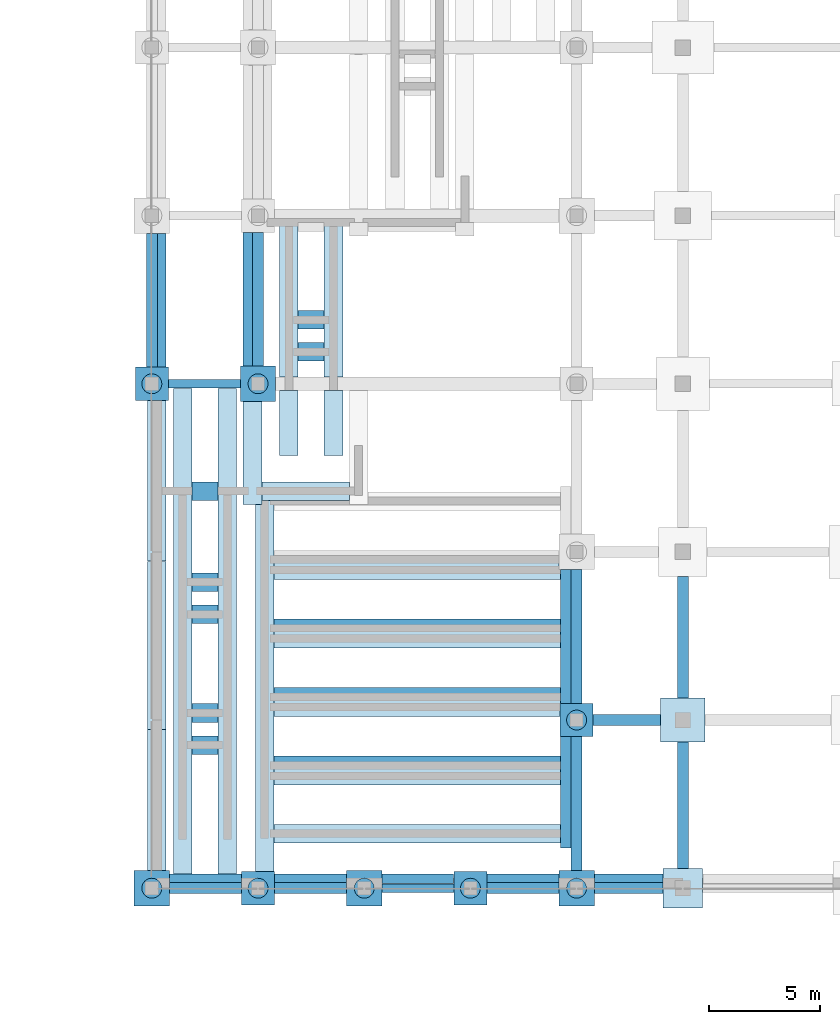
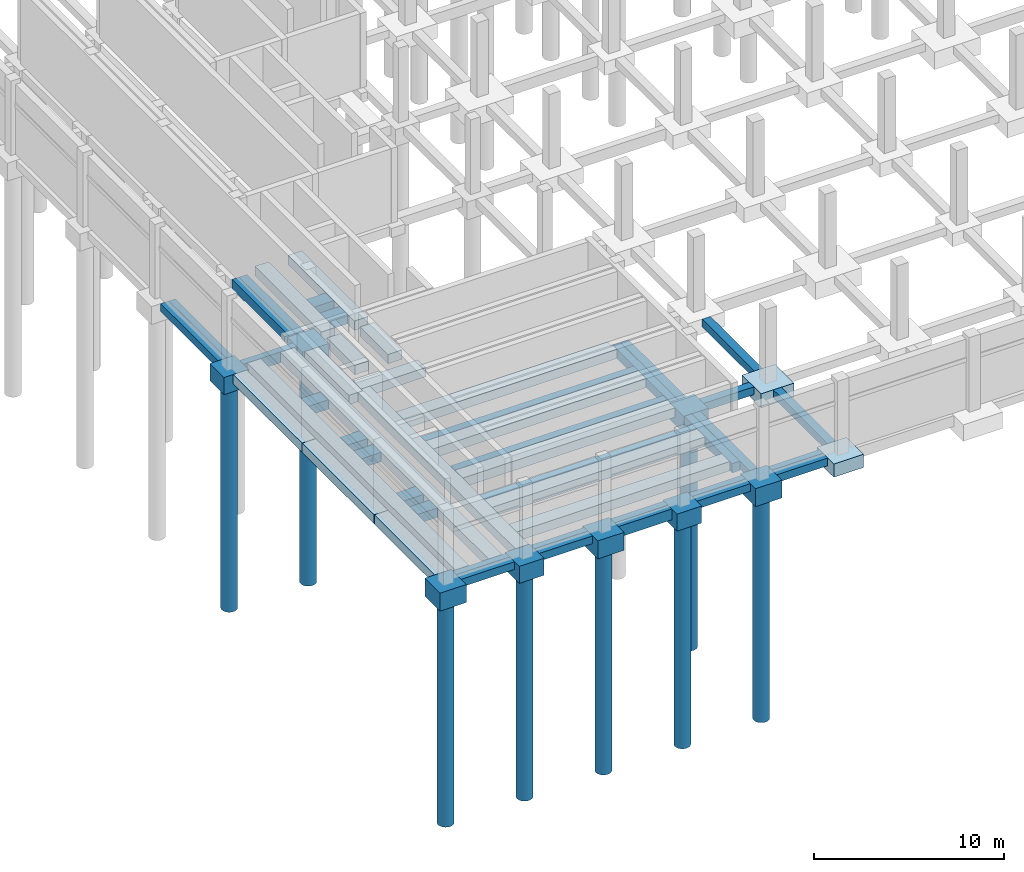
# One storey, part 1 of 50: 59 footings, 8 piles.
"""IFC4 building model written with IfcOpenShell, lengths in metres."""

from ifc_helpers import new_model, si_unit, direction, frame, origin, origin_2d, place, context, subcontext, project, spatial, polyline, rectangle, circle, outline, extrude, material, material_profile, profile_set, type_object, element, save


model = new_model("IFC4")

# Units and contexts
model_context = context("Model", 3, precision=1e-05, world=origin(), true_north=direction((0.0, 1.0)))
body_context = subcontext(model_context, "Body", "Model", "MODEL_VIEW")
ifc_project = project(units=[si_unit("LENGTHUNIT", "METRE"), si_unit("AREAUNIT", "SQUARE_METRE"), si_unit("VOLUMEUNIT", "CUBIC_METRE"), si_unit("PLANEANGLEUNIT", "RADIAN"), si_unit("MASSUNIT", "GRAM", prefix="KILO")], contexts=[model_context])

# Site, building, storey
site_placement = place(None, origin())
site = spatial("IfcSite", under=ifc_project, at=site_placement, CompositionType="ELEMENT")
building_placement = place(site_placement, origin())
building = spatial("IfcBuilding", under=site, at=building_placement, Name="Vekula Escarpment Museum", CompositionType="ELEMENT")
storey_placement = place(building_placement, frame((0.0, 0.0, -4.800048828125)))
storey = spatial("IfcBuildingStorey", under=building, at=storey_placement, Name="B1", CompositionType="ELEMENT", Elevation=-4.800048828125)

# Footings
ifc_material_1 = material(Name="Concrete C35/45", Category="concrete")
footing_type_1 = type_object("IfcFootingType", Name="FB-STRIP-600", PredefinedType="STRIP_FOOTING", material=ifc_material_1)
footing_1_placement = place(storey_placement, frame((0.0, 0.0, -0.599853515625)))
element("IfcFooting", 1, at=footing_1_placement, inside=storey, type_object=footing_type_1, Name="Plinth Wall Strip Footing 0059", PredefinedType="STRIP_FOOTING", context=body_context, shape_type="SweptSolid", body=[
    extrude(outline(polyline([(4.0458984375, 0.64501953125), (4.0458984375, 0.25390625), (0.803955078125, 0.25390625), (0.803955078125, 0.64501953125), (4.0458984375, 0.64501953125)])), origin(), (0.0, 0.0, 1.0), 0.599853515625),
])
footing_2_placement = place(storey_placement, frame((0.0, 0.0, -0.599853515625)))
element("IfcFooting", 2, at=footing_2_placement, inside=storey, type_object=footing_type_1, Name="Plinth Wall Strip Footing 0060", PredefinedType="STRIP_FOOTING", context=body_context, shape_type="SweptSolid", body=[
    extrude(outline(polyline([(8.7958984375, 0.64501953125), (8.7958984375, 0.25390625), (5.553955078125, 0.25390625), (5.553955078125, 0.64501953125), (8.7958984375, 0.64501953125)])), origin(), (0.0, 0.0, 1.0), 0.599853515625),
])
footing_3_placement = place(storey_placement, frame((0.0, 0.0, -0.599853515625)))
element("IfcFooting", 3, at=footing_3_placement, inside=storey, type_object=footing_type_1, Name="Plinth Wall Strip Footing 0061", PredefinedType="STRIP_FOOTING", context=body_context, shape_type="SweptSolid", body=[
    extrude(outline(polyline([(13.64599609375, 0.64501953125), (13.64599609375, 0.2041015625), (10.404052734375, 0.2041015625), (10.404052734375, 0.64501953125), (13.64599609375, 0.64501953125)])), origin(), (0.0, 0.0, 1.0), 0.599853515625),
])
footing_4_placement = place(storey_placement, frame((0.0, 0.0, -0.599853515625)))
element("IfcFooting", 4, at=footing_4_placement, inside=storey, type_object=footing_type_1, Name="Plinth Wall Strip Footing 0062", PredefinedType="STRIP_FOOTING", context=body_context, shape_type="SweptSolid", body=[
    extrude(outline(polyline([(18.39599609375, 0.64501953125), (18.39599609375, 0.25390625), (15.154052734375, 0.25390625), (15.154052734375, 0.64501953125), (18.39599609375, 0.64501953125)])), origin(), (0.0, 0.0, 1.0), 0.599853515625),
])
footing_5_placement = place(storey_placement, frame((0.0, 0.0, -0.599853515625)))
element("IfcFooting", 5, at=footing_5_placement, inside=storey, type_object=footing_type_1, Name="Plinth Wall Strip Footing 0063", PredefinedType="STRIP_FOOTING", context=body_context, shape_type="SweptSolid", body=[
    extrude(outline(polyline([(23.095947265625, 0.64501953125), (23.095947265625, 0.25390625), (20.00390625, 0.25390625), (20.00390625, 0.64501953125), (23.095947265625, 0.64501953125)])), origin(), (0.0, 0.0, 1.0), 0.599853515625),
])
footing_6_placement = place(storey_placement, frame((0.0, 0.0, -0.599853515625)))
element("IfcFooting", 6, at=footing_6_placement, inside=storey, type_object=footing_type_1, Name="Plinth Wall Strip Footing 0136", PredefinedType="STRIP_FOOTING", context=body_context, shape_type="SweptSolid", body=[
    extrude(outline(polyline([(0.64501953125, 23.553955078125), (0.25390625, 23.553955078125), (0.25390625, 29.595947265625), (0.64501953125, 29.595947265625), (0.64501953125, 23.553955078125)])), origin(), (0.0, 0.0, 1.0), 0.599853515625),
])
footing_7_placement = place(storey_placement, frame((0.0, 0.0, -0.599853515625)))
element("IfcFooting", 7, at=footing_7_placement, inside=storey, type_object=footing_type_1, Name="Plinth Wall Strip Footing 0137", PredefinedType="STRIP_FOOTING", context=body_context, shape_type="SweptSolid", body=[
    extrude(outline(polyline([(0.64501953125, 14.780029296875), (-0.195068359375, 14.780029296875), (-0.195068359375, 22.0458984375), (0.64501953125, 22.0458984375), (0.64501953125, 14.780029296875)])), origin(), (0.0, 0.0, 1.0), 0.599853515625),
])
footing_8_placement = place(storey_placement, frame((0.0, 0.0, -0.599853515625)))
element("IfcFooting", 8, at=footing_8_placement, inside=storey, type_object=footing_type_1, Name="Plinth Wall Strip Footing 0138", PredefinedType="STRIP_FOOTING", context=body_context, shape_type="SweptSolid", body=[
    extrude(outline(polyline([(0.64501953125, 7.179931640625), (-0.195068359375, 7.179931640625), (-0.195068359375, 14.77587890625), (0.64501953125, 14.77587890625), (0.64501953125, 7.179931640625)])), origin(), (0.0, 0.0, 1.0), 0.599853515625),
])
footing_9_placement = place(storey_placement, frame((0.0, 0.0, -0.599853515625)))
element("IfcFooting", 9, at=footing_9_placement, inside=storey, type_object=footing_type_1, Name="Plinth Wall Strip Footing 0139", PredefinedType="STRIP_FOOTING", context=body_context, shape_type="SweptSolid", body=[
    extrude(outline(polyline([(0.64501953125, 0.803955078125), (-0.195068359375, 0.803955078125), (-0.195068359375, 7.176025390625), (0.64501953125, 7.176025390625), (0.64501953125, 0.803955078125)])), origin(), (0.0, 0.0, 1.0), 0.599853515625),
])
footing_10_placement = place(storey_placement, frame((0.0, 0.0, -0.599853515625)))
element("IfcFooting", 10, at=footing_10_placement, inside=storey, type_object=footing_type_1, Name="Plinth Wall Strip Footing 0140", PredefinedType="STRIP_FOOTING", context=body_context, shape_type="SweptSolid", body=[
    extrude(outline(polyline([(1.81005859375, 0.64892578125), (0.969970703125, 0.64892578125), (0.969970703125, 22.595947265625), (1.81005859375, 22.595947265625), (1.81005859375, 0.64892578125)])), origin(), (0.0, 0.0, 1.0), 0.599853515625),
])
footing_11_placement = place(storey_placement, frame((0.0, 0.0, -0.599853515625)))
element("IfcFooting", 11, at=footing_11_placement, inside=storey, type_object=footing_type_1, Name="Plinth Wall Strip Footing 0141", PredefinedType="STRIP_FOOTING", context=body_context, shape_type="SweptSolid", body=[
    extrude(outline(polyline([(3.830078125, 0.64892578125), (2.989990234375, 0.64892578125), (2.989990234375, 22.595947265625), (3.830078125, 22.595947265625), (3.830078125, 0.64892578125)])), origin(), (0.0, 0.0, 1.0), 0.599853515625),
])
footing_12_placement = place(storey_placement, frame((0.0, 0.0, -0.599853515625)))
element("IfcFooting", 12, at=footing_12_placement, inside=storey, type_object=footing_type_1, Name="Plinth Wall Strip Footing 0142", PredefinedType="STRIP_FOOTING", context=body_context, shape_type="SweptSolid", body=[
    extrude(outline(polyline([(1.81396484375, 6.050048828125), (1.81396484375, 6.889892578125), (2.986083984375, 6.889892578125), (2.986083984375, 6.050048828125), (1.81396484375, 6.050048828125)])), origin(), (0.0, 0.0, 1.0), 0.599853515625),
])
footing_13_placement = place(storey_placement, frame((0.0, 0.0, -0.599853515625)))
element("IfcFooting", 13, at=footing_13_placement, inside=storey, type_object=footing_type_1, Name="Plinth Wall Strip Footing 0143", PredefinedType="STRIP_FOOTING", context=body_context, shape_type="SweptSolid", body=[
    extrude(outline(polyline([(1.81396484375, 7.5), (1.81396484375, 8.340087890625), (2.986083984375, 8.340087890625), (2.986083984375, 7.5), (1.81396484375, 7.5)])), origin(), (0.0, 0.0, 1.0), 0.599853515625),
])
footing_14_placement = place(storey_placement, frame((0.0, 0.0, -0.599853515625)))
element("IfcFooting", 14, at=footing_14_placement, inside=storey, type_object=footing_type_1, Name="Plinth Wall Strip Footing 0144", PredefinedType="STRIP_FOOTING", context=body_context, shape_type="SweptSolid", body=[
    extrude(outline(polyline([(1.81396484375, 11.9599609375), (1.81396484375, 12.800048828125), (2.986083984375, 12.800048828125), (2.986083984375, 11.9599609375), (1.81396484375, 11.9599609375)])), origin(), (0.0, 0.0, 1.0), 0.599853515625),
])
footing_15_placement = place(storey_placement, frame((0.0, 0.0, -0.599853515625)))
element("IfcFooting", 15, at=footing_15_placement, inside=storey, type_object=footing_type_1, Name="Plinth Wall Strip Footing 0145", PredefinedType="STRIP_FOOTING", context=body_context, shape_type="SweptSolid", body=[
    extrude(outline(polyline([(1.81396484375, 13.409912109375), (1.81396484375, 14.25), (2.986083984375, 14.25), (2.986083984375, 13.409912109375), (1.81396484375, 13.409912109375)])), origin(), (0.0, 0.0, 1.0), 0.599853515625),
])
footing_16_placement = place(storey_placement, frame((0.0, 0.0, -0.599853515625)))
element("IfcFooting", 16, at=footing_16_placement, inside=storey, type_object=footing_type_1, Name="Plinth Wall Strip Footing 0154", PredefinedType="STRIP_FOOTING", context=body_context, shape_type="SweptSolid", body=[
    extrude(outline(polyline([(6.610107421875, 19.56005859375), (5.77001953125, 19.56005859375), (5.77001953125, 22.49609375), (6.610107421875, 22.49609375), (6.610107421875, 19.56005859375)])), origin(), (0.0, 0.0, 1.0), 0.599853515625),
])
footing_17_placement = place(storey_placement, frame((0.0, 0.0, -0.599853515625)))
element("IfcFooting", 17, at=footing_17_placement, inside=storey, type_object=footing_type_1, Name="Plinth Wall Strip Footing 0154", PredefinedType="STRIP_FOOTING", context=body_context, shape_type="SweptSolid", body=[
    extrude(outline(polyline([(6.610107421875, 23.10400390625), (5.77001953125, 23.10400390625), (5.77001953125, 30.095947265625), (6.610107421875, 30.095947265625), (6.610107421875, 23.10400390625)])), origin(), (0.0, 0.0, 1.0), 0.599853515625),
])
footing_18_placement = place(storey_placement, frame((0.0, 0.0, -0.599853515625)))
element("IfcFooting", 18, at=footing_18_placement, inside=storey, type_object=footing_type_1, Name="Plinth Wall Strip Footing 0155", PredefinedType="STRIP_FOOTING", context=body_context, shape_type="SweptSolid", body=[
    extrude(outline(polyline([(8.6298828125, 19.56005859375), (7.7900390625, 19.56005859375), (7.7900390625, 22.49609375), (8.6298828125, 22.49609375), (8.6298828125, 19.56005859375)])), origin(), (0.0, 0.0, 1.0), 0.599853515625),
])
footing_19_placement = place(storey_placement, frame((0.0, 0.0, -0.599853515625)))
element("IfcFooting", 19, at=footing_19_placement, inside=storey, type_object=footing_type_1, Name="Plinth Wall Strip Footing 0155", PredefinedType="STRIP_FOOTING", context=body_context, shape_type="SweptSolid", body=[
    extrude(outline(polyline([(8.6298828125, 23.10400390625), (7.7900390625, 23.10400390625), (7.7900390625, 30.095947265625), (8.6298828125, 30.095947265625), (8.6298828125, 23.10400390625)])), origin(), (0.0, 0.0, 1.0), 0.599853515625),
])
footing_20_placement = place(storey_placement, frame((0.0, 0.0, -0.599853515625)))
element("IfcFooting", 20, at=footing_20_placement, inside=storey, type_object=footing_type_1, Name="Plinth Wall Strip Footing 0156", PredefinedType="STRIP_FOOTING", context=body_context, shape_type="SweptSolid", body=[
    extrude(outline(polyline([(6.614013671875, 23.820068359375), (6.614013671875, 24.659912109375), (7.785888671875, 24.659912109375), (7.785888671875, 23.820068359375), (6.614013671875, 23.820068359375)])), origin(), (0.0, 0.0, 1.0), 0.599853515625),
])
footing_21_placement = place(storey_placement, frame((0.0, 0.0, -0.599853515625)))
element("IfcFooting", 21, at=footing_21_placement, inside=storey, type_object=footing_type_1, Name="Plinth Wall Strip Footing 0157", PredefinedType="STRIP_FOOTING", context=body_context, shape_type="SweptSolid", body=[
    extrude(outline(polyline([(6.614013671875, 25.27001953125), (6.614013671875, 26.110107421875), (7.785888671875, 26.110107421875), (7.785888671875, 25.27001953125), (6.614013671875, 25.27001953125)])), origin(), (0.0, 0.0, 1.0), 0.599853515625),
])
footing_22_placement = place(storey_placement, frame((0.0, 0.0, -0.599853515625)))
element("IfcFooting", 22, at=footing_22_placement, inside=storey, type_object=footing_type_1, Name="Plinth Wall Strip Footing 0166", PredefinedType="STRIP_FOOTING", context=body_context, shape_type="SweptSolid", body=[
    extrude(outline(polyline([(4.969970703125, 17.340087890625), (4.1298828125, 17.340087890625), (4.1298828125, 21.99609375), (4.969970703125, 21.99609375), (4.969970703125, 17.340087890625)])), origin(), (0.0, 0.0, 1.0), 0.599853515625),
])
footing_23_placement = place(storey_placement, frame((0.0, 0.0, -0.599853515625)))
element("IfcFooting", 23, at=footing_23_placement, inside=storey, type_object=footing_type_1, Name="Plinth Wall Strip Footing 0166", PredefinedType="STRIP_FOOTING", context=body_context, shape_type="SweptSolid", body=[
    extrude(outline(polyline([(4.1298828125, 29.64599609375), (4.5458984375, 29.64599609375), (4.5458984375, 23.60400390625), (4.1298828125, 23.60400390625), (4.1298828125, 29.64599609375)])), origin(), (0.0, 0.0, 1.0), 0.599853515625),
])
footing_24_placement = place(storey_placement, frame((0.0, 0.0, -0.599853515625)))
element("IfcFooting", 24, at=footing_24_placement, inside=storey, type_object=footing_type_1, Name="Plinth Wall Strip Footing 0168", PredefinedType="STRIP_FOOTING", context=body_context, shape_type="SweptSolid", body=[
    extrude(outline(polyline([(1.81396484375, 17.530029296875), (1.81396484375, 18.3701171875), (2.986083984375, 18.3701171875), (2.986083984375, 17.530029296875), (1.81396484375, 17.530029296875)])), origin(), (0.0, 0.0, 1.0), 0.599853515625),
])
footing_25_placement = place(storey_placement, frame((0.0, 0.0, -0.599853515625)))
element("IfcFooting", 25, at=footing_25_placement, inside=storey, type_object=footing_type_1, Name="Plinth Wall Strip Footing 0169", PredefinedType="STRIP_FOOTING", context=body_context, shape_type="SweptSolid", body=[
    extrude(outline(polyline([(4.97412109375, 17.530029296875), (4.97412109375, 18.3701171875), (8.926025390625, 18.3701171875), (8.926025390625, 17.530029296875), (4.97412109375, 17.530029296875)])), origin(), (0.0, 0.0, 1.0), 0.599853515625),
])
footing_26_placement = place(storey_placement, frame((0.0, 0.0, -0.599853515625)))
element("IfcFooting", 26, at=footing_26_placement, inside=storey, type_object=footing_type_1, Name="Plinth Wall Strip Footing 0182", PredefinedType="STRIP_FOOTING", context=body_context, shape_type="SweptSolid", body=[
    extrude(outline(polyline([(5.52001953125, 0.75390625), (4.679931640625, 0.75390625), (4.679931640625, 17.3359375), (4.97412109375, 17.3359375), (4.97412109375, 17.52587890625), (5.52001953125, 17.52587890625), (5.52001953125, 0.75390625)])), origin(), (0.0, 0.0, 1.0), 0.599853515625),
])
footing_27_placement = place(storey_placement, frame((0.0, 0.0, -0.599853515625)))
element("IfcFooting", 27, at=footing_27_placement, inside=storey, type_object=footing_type_1, Name="Plinth Wall Strip Footing 0183", PredefinedType="STRIP_FOOTING", context=body_context, shape_type="SweptSolid", body=[
    extrude(outline(polyline([(18.47998046875, 1.81005859375), (18.47998046875, 6.845947265625), (18.946044921875, 6.845947265625), (18.946044921875, 1.81005859375), (18.47998046875, 1.81005859375)])), origin(), (0.0, 0.0, 1.0), 0.599853515625),
])
footing_28_placement = place(storey_placement, frame((0.0, 0.0, -0.599853515625)))
element("IfcFooting", 28, at=footing_28_placement, inside=storey, type_object=footing_type_1, Name="Plinth Wall Strip Footing 0183", PredefinedType="STRIP_FOOTING", context=body_context, shape_type="SweptSolid", body=[
    extrude(outline(polyline([(18.47998046875, 14.39599609375), (18.946044921875, 14.39599609375), (18.946044921875, 8.35400390625), (18.47998046875, 8.35400390625), (18.47998046875, 14.39599609375)])), origin(), (0.0, 0.0, 1.0), 0.599853515625),
])
footing_29_placement = place(storey_placement, frame((0.0, 0.0, -0.599853515625)))
element("IfcFooting", 29, at=footing_29_placement, inside=storey, type_object=footing_type_1, Name="Plinth Wall Strip Footing 0188", PredefinedType="STRIP_FOOTING", context=body_context, shape_type="SweptSolid", body=[
    extrude(outline(polyline([(5.52392578125, 2.050048828125), (5.52392578125, 2.889892578125), (18.47607421875, 2.889892578125), (18.47607421875, 2.050048828125), (5.52392578125, 2.050048828125)])), origin(), (0.0, 0.0, 1.0), 0.599853515625),
])
footing_30_placement = place(storey_placement, frame((0.0, 0.0, -0.599853515625)))
element("IfcFooting", 30, at=footing_30_placement, inside=storey, type_object=footing_type_1, Name="Plinth Wall Strip Footing 0189", PredefinedType="STRIP_FOOTING", context=body_context, shape_type="SweptSolid", body=[
    extrude(outline(polyline([(5.52392578125, 4.659912109375), (5.52392578125, 5.5), (18.47607421875, 5.5), (18.47607421875, 4.659912109375), (5.52392578125, 4.659912109375)])), origin(), (0.0, 0.0, 1.0), 0.599853515625),
])
footing_31_placement = place(storey_placement, frame((0.0, 0.0, -0.599853515625)))
element("IfcFooting", 31, at=footing_31_placement, inside=storey, type_object=footing_type_1, Name="Plinth Wall Strip Footing 0190", PredefinedType="STRIP_FOOTING", context=body_context, shape_type="SweptSolid", body=[
    extrude(outline(polyline([(18.47607421875, 5.969970703125), (18.47607421875, 5.50390625), (5.52392578125, 5.50390625), (5.52392578125, 5.969970703125), (18.47607421875, 5.969970703125)])), origin(), (0.0, 0.0, 1.0), 0.599853515625),
])
footing_32_placement = place(storey_placement, frame((0.0, 0.0, -0.599853515625)))
element("IfcFooting", 32, at=footing_32_placement, inside=storey, type_object=footing_type_1, Name="Plinth Wall Strip Footing 0191", PredefinedType="STRIP_FOOTING", context=body_context, shape_type="SweptSolid", body=[
    extrude(outline(polyline([(5.52392578125, 7.760009765625), (5.52392578125, 8.60009765625), (18.47607421875, 8.60009765625), (18.47607421875, 8.35400390625), (18.446044921875, 8.35400390625), (18.446044921875, 7.760009765625), (5.52392578125, 7.760009765625)])), origin(), (0.0, 0.0, 1.0), 0.599853515625),
])
footing_33_placement = place(storey_placement, frame((0.0, 0.0, -0.599853515625)))
element("IfcFooting", 33, at=footing_33_placement, inside=storey, type_object=footing_type_1, Name="Plinth Wall Strip Footing 0192", PredefinedType="STRIP_FOOTING", context=body_context, shape_type="SweptSolid", body=[
    extrude(outline(polyline([(18.47607421875, 9.070068359375), (18.47607421875, 8.60400390625), (5.52392578125, 8.60400390625), (5.52392578125, 9.070068359375), (18.47607421875, 9.070068359375)])), origin(), (0.0, 0.0, 1.0), 0.599853515625),
])
footing_34_placement = place(storey_placement, frame((0.0, 0.0, -0.599853515625)))
element("IfcFooting", 34, at=footing_34_placement, inside=storey, type_object=footing_type_1, Name="Plinth Wall Strip Footing 0193", PredefinedType="STRIP_FOOTING", context=body_context, shape_type="SweptSolid", body=[
    extrude(outline(polyline([(5.52392578125, 10.860107421875), (5.52392578125, 11.699951171875), (18.47607421875, 11.699951171875), (18.47607421875, 10.860107421875), (5.52392578125, 10.860107421875)])), origin(), (0.0, 0.0, 1.0), 0.599853515625),
])
footing_35_placement = place(storey_placement, frame((0.0, 0.0, -0.599853515625)))
element("IfcFooting", 35, at=footing_35_placement, inside=storey, type_object=footing_type_1, Name="Plinth Wall Strip Footing 0194", PredefinedType="STRIP_FOOTING", context=body_context, shape_type="SweptSolid", body=[
    extrude(outline(polyline([(18.47607421875, 12.169921875), (18.47607421875, 11.7041015625), (5.52392578125, 11.7041015625), (5.52392578125, 12.169921875), (18.47607421875, 12.169921875)])), origin(), (0.0, 0.0, 1.0), 0.599853515625),
])
footing_36_placement = place(storey_placement, frame((0.0, 0.0, -0.599853515625)))
element("IfcFooting", 36, at=footing_36_placement, inside=storey, type_object=footing_type_1, Name="Plinth Wall Strip Footing 0195", PredefinedType="STRIP_FOOTING", context=body_context, shape_type="SweptSolid", body=[
    extrude(outline(polyline([(5.52392578125, 13.9599609375), (5.52392578125, 14.800048828125), (18.39599609375, 14.800048828125), (18.39599609375, 14.39599609375), (18.47607421875, 14.39599609375), (18.47607421875, 13.9599609375), (5.52392578125, 13.9599609375)])), origin(), (0.0, 0.0, 1.0), 0.599853515625),
])
ifc_material_2 = material(Name="Concrete C35/45", Category="concrete")
ifc_material_profile_1 = material_profile(ifc_material_2, rectangle(XDim=0.39990234375, YDim=0.699951171875, at=origin_2d()), Name="RC 400x700")
ifc_profile_set_1 = profile_set([ifc_material_profile_1], Name="Concrete C35/45")
footing_type_2 = type_object("IfcFootingType", Name="FB-TIE-400x700", PredefinedType="FOOTING_BEAM", material=ifc_profile_set_1)
for number, where, z_axis, x_axis, name in (
    (37, (10.39990234375, 0.0, -0.349853515625), (1.0, 0.0, 0.0), (0.0, 1.0, 0.0), "Foundation Tie Beam 003"),
    (38, (0.75, 22.800048828125, -0.349853515625), (1.0, 0.0, 0.0), (0.0, 1.0, 0.0), "Foundation Tie Beam 063"),
):
    element("IfcFooting", number, at=place(storey_placement, frame(where, z_axis=z_axis, x_axis=x_axis)), inside=storey, type_object=footing_type_2, Name=name, PredefinedType="FOOTING_BEAM", context=body_context, shape_type="SweptSolid", body=[
        extrude(rectangle(XDim=0.39990234375, YDim=0.699951171875, at=origin_2d()), origin(), (0.0, 0.0, 1.0), 3.25),
    ])
ifc_material_3 = material(Name="Concrete C35/45", Category="concrete")
ifc_material_profile_2 = material_profile(ifc_material_3, rectangle(XDim=0.5, YDim=0.5, at=origin_2d()), Name="RC 500x500")
ifc_profile_set_2 = profile_set([ifc_material_profile_2], Name="Concrete C35/45")
footing_type_3 = type_object("IfcFootingType", Name="FB-TIE-500x500", PredefinedType="FOOTING_BEAM", material=ifc_profile_set_2)
for number, where, z_axis, x_axis, name in (
    (39, (0.800048828125, 0.0, -0.25), (1.0, 0.0, 0.0), (0.0, 1.0, 0.0), "Foundation Tie Beam 001"),
    (40, (5.550048828125, 0.0, -0.25), (1.0, 0.0, 0.0), (0.0, 1.0, 0.0), "Foundation Tie Beam 002"),
    (41, (15.14990234375, 0.0, -0.25), (1.0, 0.0, 0.0), (0.0, 1.0, 0.0), "Foundation Tie Beam 004"),
):
    element("IfcFooting", number, at=place(storey_placement, frame(where, z_axis=z_axis, x_axis=x_axis)), inside=storey, type_object=footing_type_3, Name=name, PredefinedType="FOOTING_BEAM", context=body_context, shape_type="SweptSolid", body=[
        extrude(rectangle(XDim=0.5, YDim=0.5, at=origin_2d()), origin(), (0.0, 0.0, 1.0), 3.25),
    ])
footing_37_placement = place(storey_placement, frame((20.0, 0.0, -0.25), z_axis=(1.0, 0.0, 0.0), x_axis=(0.0, 1.0, 0.0)))
element("IfcFooting", 42, at=footing_37_placement, inside=storey, type_object=footing_type_3, Name="Foundation Tie Beam 005", PredefinedType="FOOTING_BEAM", context=body_context, shape_type="SweptSolid", body=[
    extrude(rectangle(XDim=0.5, YDim=0.5, at=origin_2d()), origin(), (0.0, 0.0, 1.0), 3.10009765625),
])
footing_38_placement = place(storey_placement, frame((19.949951171875, 7.60009765625, -0.25), z_axis=(1.0, 0.0, 0.0), x_axis=(0.0, 1.0, 0.0)))
element("IfcFooting", 43, at=footing_38_placement, inside=storey, type_object=footing_type_3, Name="Foundation Tie Beam 025", PredefinedType="FOOTING_BEAM", context=body_context, shape_type="SweptSolid", body=[
    extrude(rectangle(XDim=0.5, YDim=0.5, at=origin_2d()), origin(), (0.0, 0.0, 1.0), 3.050048828125),
])
footing_39_placement = place(storey_placement, frame((0.0, 23.550048828125, -0.25), z_axis=(0.0, 1.0, 0.0), x_axis=(-1.0, 0.0, 0.0)))
element("IfcFooting", 44, at=footing_39_placement, inside=storey, type_object=footing_type_3, Name="Foundation Tie Beam 402", PredefinedType="FOOTING_BEAM", context=body_context, shape_type="SweptSolid", body=[
    extrude(rectangle(XDim=0.5, YDim=0.5, at=origin_2d()), origin(), (0.0, 0.0, 1.0), 6.050048828125),
])
footing_40_placement = place(storey_placement, frame((4.800048828125, 23.60009765625, -0.25), z_axis=(0.0, 1.0, 0.0), x_axis=(-1.0, 0.0, 0.0)))
element("IfcFooting", 45, at=footing_40_placement, inside=storey, type_object=footing_type_3, Name="Foundation Tie Beam 414", PredefinedType="FOOTING_BEAM", context=body_context, shape_type="SweptSolid", body=[
    extrude(rectangle(XDim=0.5, YDim=0.5, at=origin_2d()), origin(), (0.0, 0.0, 1.0), 6.0498046875),
])
footing_41_placement = place(storey_placement, frame((19.199951171875, 0.800048828125, -0.25), z_axis=(0.0, 1.0, 0.0), x_axis=(-1.0, 0.0, 0.0)))
element("IfcFooting", 46, at=footing_41_placement, inside=storey, type_object=footing_type_3, Name="Foundation Tie Beam 442", PredefinedType="FOOTING_BEAM", context=body_context, shape_type="SweptSolid", body=[
    extrude(rectangle(XDim=0.5, YDim=0.5, at=origin_2d()), origin(), (0.0, 0.0, 1.0), 6.050048828125),
])
footing_42_placement = place(storey_placement, frame((19.199951171875, 8.35009765625, -0.25), z_axis=(0.0, 1.0, 0.0), x_axis=(-1.0, 0.0, 0.0)))
element("IfcFooting", 47, at=footing_42_placement, inside=storey, type_object=footing_type_3, Name="Foundation Tie Beam 443", PredefinedType="FOOTING_BEAM", context=body_context, shape_type="SweptSolid", body=[
    extrude(rectangle(XDim=0.5, YDim=0.5, at=origin_2d()), origin(), (0.0, 0.0, 1.0), 6.0498046875),
])
footing_43_placement = place(storey_placement, frame((24.0, 0.89990234375, -0.25), z_axis=(0.0, 1.0, 0.0), x_axis=(-1.0, 0.0, 0.0)))
element("IfcFooting", 48, at=footing_43_placement, inside=storey, type_object=footing_type_3, Name="Foundation Tie Beam 460", PredefinedType="FOOTING_BEAM", context=body_context, shape_type="SweptSolid", body=[
    extrude(rectangle(XDim=0.5, YDim=0.5, at=origin_2d()), origin(), (0.0, 0.0, 1.0), 5.7001953125),
])
footing_44_placement = place(storey_placement, frame((24.0, 8.60009765625, -0.25), z_axis=(0.0, 1.0, 0.0), x_axis=(-1.0, 0.0, 0.0)))
element("IfcFooting", 49, at=footing_44_placement, inside=storey, type_object=footing_type_3, Name="Foundation Tie Beam 461", PredefinedType="FOOTING_BEAM", context=body_context, shape_type="SweptSolid", body=[
    extrude(rectangle(XDim=0.5, YDim=0.5, at=origin_2d()), origin(), (0.0, 0.0, 1.0), 5.5),
])
ifc_material_4 = material(Name="Concrete C35/45", Category="concrete")
footing_type_4 = type_object("IfcFootingType", Name="FC-PAD1", PredefinedType="PAD_FOOTING", material=ifc_material_4)
footing_45_placement = place(storey_placement, frame((0.0, 0.0, -0.849853515625)))
element("IfcFooting", 50, at=footing_45_placement, inside=storey, type_object=footing_type_4, Name="Foundation FC-PAD1 (24.0,0.0)", PredefinedType="PAD_FOOTING", context=body_context, shape_type="SweptSolid", body=[
    extrude(outline(polyline([(23.10009765625, -0.89990234375), (24.89990234375, -0.89990234375), (24.89990234375, 0.89990234375), (23.10009765625, 0.89990234375), (23.10009765625, -0.89990234375)])), origin(), (0.0, 0.0, 1.0), 0.849853515625),
])
ifc_material_5 = material(Name="Concrete C35/45", Category="concrete")
footing_type_5 = type_object("IfcFootingType", Name="FC-PAD2", PredefinedType="PAD_FOOTING", material=ifc_material_5)
footing_46_placement = place(storey_placement, frame((0.0, 0.0, -0.89990234375)))
element("IfcFooting", 51, at=footing_46_placement, inside=storey, type_object=footing_type_5, Name="Foundation FC-PAD2 (24.0,7.6)", PredefinedType="PAD_FOOTING", context=body_context, shape_type="SweptSolid", body=[
    extrude(outline(polyline([(23.0, 6.60009765625), (25.0, 6.60009765625), (25.0, 8.60009765625), (23.0, 8.60009765625), (23.0, 6.60009765625)])), origin(), (0.0, 0.0, 1.0), 0.89990234375),
])
ifc_material_6 = material(Name="Concrete C35/45", Category="concrete")
footing_type_6 = type_object("IfcFootingType", Name="FC-PC1A", PredefinedType="PILE_CAP", material=ifc_material_6)
footing_47_placement = place(storey_placement, frame((0.0, 0.0, -1.099853515625)))
element("IfcFooting", 52, at=footing_47_placement, inside=storey, type_object=footing_type_6, Name="Foundation FC-PC1A (0.0,22.8)", PredefinedType="PILE_CAP", context=body_context, shape_type="SweptSolid", body=[
    extrude(outline(polyline([(-0.75, 22.050048828125), (0.75, 22.050048828125), (0.75, 23.550048828125), (-0.75, 23.550048828125), (-0.75, 22.050048828125)])), origin(), (0.0, 0.0, 1.0), 1.099853515625),
])
footing_48_placement = place(storey_placement, frame((0.0, 0.0, -1.099853515625)))
element("IfcFooting", 53, at=footing_48_placement, inside=storey, type_object=footing_type_6, Name="Foundation FC-PC1A (4.8,0.0)", PredefinedType="PILE_CAP", context=body_context, shape_type="SweptSolid", body=[
    extrude(outline(polyline([(4.050048828125, -0.75), (5.550048828125, -0.75), (5.550048828125, 0.75), (4.050048828125, 0.75), (4.050048828125, -0.75)])), origin(), (0.0, 0.0, 1.0), 1.099853515625),
])
footing_49_placement = place(storey_placement, frame((0.0, 0.0, -1.099853515625)))
element("IfcFooting", 54, at=footing_49_placement, inside=storey, type_object=footing_type_6, Name="Foundation FC-PC1A (14.4,0.0)", PredefinedType="PILE_CAP", context=body_context, shape_type="SweptSolid", body=[
    extrude(outline(polyline([(13.64990234375, -0.75), (15.14990234375, -0.75), (15.14990234375, 0.75), (13.64990234375, 0.75), (13.64990234375, -0.75)])), origin(), (0.0, 0.0, 1.0), 1.099853515625),
])
footing_50_placement = place(storey_placement, frame((0.0, 0.0, -1.099853515625)))
element("IfcFooting", 55, at=footing_50_placement, inside=storey, type_object=footing_type_6, Name="Foundation FC-PC1A (19.2,7.6)", PredefinedType="PILE_CAP", context=body_context, shape_type="SweptSolid", body=[
    extrude(outline(polyline([(18.449951171875, 6.85009765625), (19.949951171875, 6.85009765625), (19.949951171875, 8.35009765625), (18.449951171875, 8.35009765625), (18.449951171875, 6.85009765625)])), origin(), (0.0, 0.0, 1.0), 1.099853515625),
])
ifc_material_7 = material(Name="Concrete C35/45", Category="concrete")
footing_type_7 = type_object("IfcFootingType", Name="FC-PC1B", PredefinedType="PILE_CAP", material=ifc_material_7)
footing_51_placement = place(storey_placement, frame((0.0, 0.0, -1.14990234375)))
element("IfcFooting", 56, at=footing_51_placement, inside=storey, type_object=footing_type_7, Name="Foundation FC-PC1B (0.0,0.0)", PredefinedType="PILE_CAP", context=body_context, shape_type="SweptSolid", body=[
    extrude(outline(polyline([(-0.800048828125, -0.800048828125), (0.800048828125, -0.800048828125), (0.800048828125, 0.800048828125), (-0.800048828125, 0.800048828125), (-0.800048828125, -0.800048828125)])), origin(), (0.0, 0.0, 1.0), 1.14990234375),
])
footing_52_placement = place(storey_placement, frame((0.0, 0.0, -1.14990234375)))
element("IfcFooting", 57, at=footing_52_placement, inside=storey, type_object=footing_type_7, Name="Foundation FC-PC1B (4.8,22.8)", PredefinedType="PILE_CAP", context=body_context, shape_type="SweptSolid", body=[
    extrude(outline(polyline([(4.0, 22.0), (5.60009765625, 22.0), (5.60009765625, 23.60009765625), (4.0, 23.60009765625), (4.0, 22.0)])), origin(), (0.0, 0.0, 1.0), 1.14990234375),
])
footing_53_placement = place(storey_placement, frame((0.0, 0.0, -1.14990234375)))
element("IfcFooting", 58, at=footing_53_placement, inside=storey, type_object=footing_type_7, Name="Foundation FC-PC1B (9.6,0.0)", PredefinedType="PILE_CAP", context=body_context, shape_type="SweptSolid", body=[
    extrude(outline(polyline([(8.800048828125, -0.800048828125), (10.39990234375, -0.800048828125), (10.39990234375, 0.800048828125), (8.800048828125, 0.800048828125), (8.800048828125, -0.800048828125)])), origin(), (0.0, 0.0, 1.0), 1.14990234375),
])
footing_54_placement = place(storey_placement, frame((0.0, 0.0, -1.14990234375)))
element("IfcFooting", 59, at=footing_54_placement, inside=storey, type_object=footing_type_7, Name="Foundation FC-PC1B (19.2,0.0)", PredefinedType="PILE_CAP", context=body_context, shape_type="SweptSolid", body=[
    extrude(outline(polyline([(18.39990234375, -0.800048828125), (20.0, -0.800048828125), (20.0, 0.800048828125), (18.39990234375, 0.800048828125), (18.39990234375, -0.800048828125)])), origin(), (0.0, 0.0, 1.0), 1.14990234375),
])

# Piles
ifc_material_8 = material(Name="Concrete C35/45", Category="concrete")
ifc_material_profile_3 = material_profile(ifc_material_8, circle(Radius=0.449951171875, at=origin_2d()), Name="BORED PILE 900")
ifc_profile_set_3 = profile_set([ifc_material_profile_3], Name="Concrete C35/45")
pile_type = type_object("IfcPileType", Name="PILE-B900", PredefinedType="BORED", material=ifc_profile_set_3)
pile_1_placement = place(storey_placement, frame((0.0, 0.0, -1.050048828125), z_axis=(0.0, 0.0, -1.0), x_axis=(1.0, 0.0, 0.0)))
element("IfcPile", 60, at=pile_1_placement, inside=storey, type_object=pile_type, Name="Bored Pile (0.0,0.0)", PredefinedType="BORED", context=body_context, shape_type="SweptSolid", body=[
    extrude(circle(Radius=0.449951171875, at=origin_2d()), origin(), (0.0, 0.0, 1.0), 14.449951171875),
])
for number, where, z_axis, x_axis, name in (
    (61, (0.0, 22.800048828125, -1.0), (0.0, 0.0, -1.0), (1.0, 0.0, 0.0), "Bored Pile (0.0,22.8)"),
    (62, (4.800048828125, 0.0, -1.0), (0.0, 0.0, -1.0), (1.0, 0.0, 0.0), "Bored Pile (4.8,0.0)"),
):
    element("IfcPile", number, at=place(storey_placement, frame(where, z_axis=z_axis, x_axis=x_axis)), inside=storey, type_object=pile_type, Name=name, PredefinedType="BORED", context=body_context, shape_type="SweptSolid", body=[
        extrude(circle(Radius=0.449951171875, at=origin_2d()), origin(), (0.0, 0.0, 1.0), 14.5),
    ])
for number, where, z_axis, x_axis, name in (
    (63, (4.800048828125, 22.800048828125, -1.050048828125), (0.0, 0.0, -1.0), (1.0, 0.0, 0.0), "Bored Pile (4.8,22.8)"),
    (64, (9.60009765625, 0.0, -1.050048828125), (0.0, 0.0, -1.0), (1.0, 0.0, 0.0), "Bored Pile (9.6,0.0)"),
):
    element("IfcPile", number, at=place(storey_placement, frame(where, z_axis=z_axis, x_axis=x_axis)), inside=storey, type_object=pile_type, Name=name, PredefinedType="BORED", context=body_context, shape_type="SweptSolid", body=[
        extrude(circle(Radius=0.449951171875, at=origin_2d()), origin(), (0.0, 0.0, 1.0), 14.449951171875),
    ])
pile_2_placement = place(storey_placement, frame((14.39990234375, 0.0, -1.0), z_axis=(0.0, 0.0, -1.0), x_axis=(1.0, 0.0, 0.0)))
element("IfcPile", 65, at=pile_2_placement, inside=storey, type_object=pile_type, Name="Bored Pile (14.4,0.0)", PredefinedType="BORED", context=body_context, shape_type="SweptSolid", body=[
    extrude(circle(Radius=0.449951171875, at=origin_2d()), origin(), (0.0, 0.0, 1.0), 14.5),
])
pile_3_placement = place(storey_placement, frame((19.199951171875, 0.0, -1.050048828125), z_axis=(0.0, 0.0, -1.0), x_axis=(1.0, 0.0, 0.0)))
element("IfcPile", 66, at=pile_3_placement, inside=storey, type_object=pile_type, Name="Bored Pile (19.2,0.0)", PredefinedType="BORED", context=body_context, shape_type="SweptSolid", body=[
    extrude(circle(Radius=0.449951171875, at=origin_2d()), origin(), (0.0, 0.0, 1.0), 14.449951171875),
])
pile_4_placement = place(storey_placement, frame((19.199951171875, 7.60009765625, -1.0), z_axis=(0.0, 0.0, -1.0), x_axis=(1.0, 0.0, 0.0)))
element("IfcPile", 67, at=pile_4_placement, inside=storey, type_object=pile_type, Name="Bored Pile (19.2,7.6)", PredefinedType="BORED", context=body_context, shape_type="SweptSolid", body=[
    extrude(circle(Radius=0.449951171875, at=origin_2d()), origin(), (0.0, 0.0, 1.0), 14.5),
])

save(model, "model.ifc")
